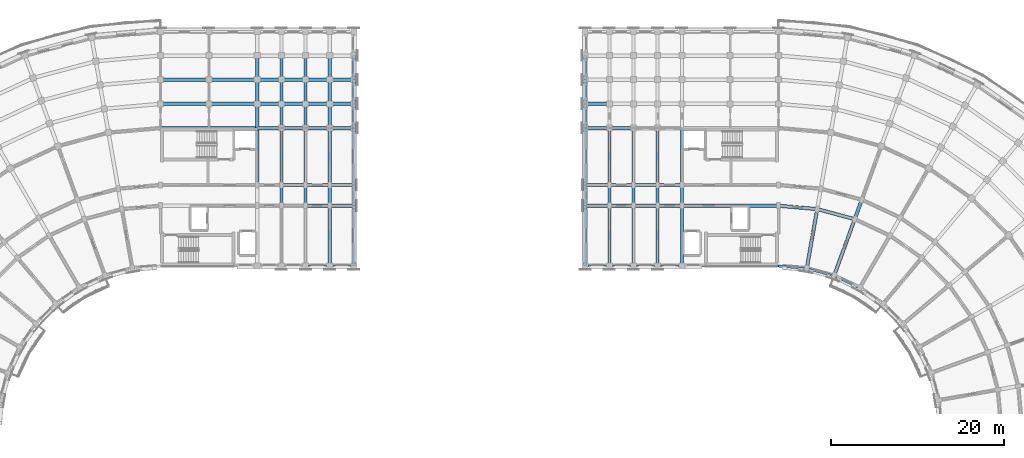
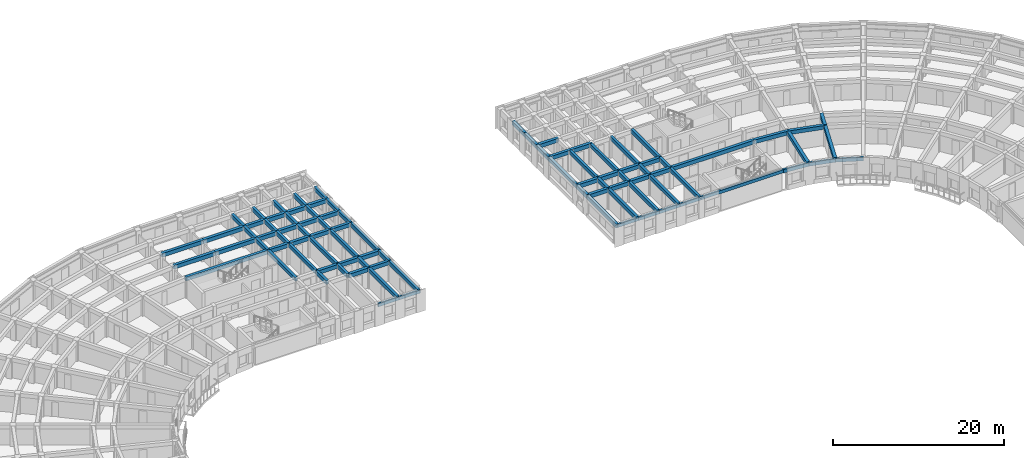
# One storey, part 10 of 57: 93 beams.
"""IFC4 building model written with IfcOpenShell, lengths in metres."""

from ifc_helpers import new_model, si_unit, direction, frame, origin, origin_2d, place, context, subcontext, project, spatial, rectangle, extrude, material, material_profile, profile_set, type_object, element, save


model = new_model("IFC4")

# Units and contexts
model_context = context("Model", 3, precision=1e-05, world=origin(), true_north=direction((0.0, 1.0)))
body_context = subcontext(model_context, "Body", "Model", "MODEL_VIEW")
ifc_project = project(units=[si_unit("LENGTHUNIT", "METRE"), si_unit("AREAUNIT", "SQUARE_METRE"), si_unit("VOLUMEUNIT", "CUBIC_METRE"), si_unit("PLANEANGLEUNIT", "RADIAN"), si_unit("MASSUNIT", "GRAM", prefix="KILO")], contexts=[model_context])

# Site, building, storey
site_placement = place(None, origin())
site = spatial("IfcSite", under=ifc_project, at=site_placement, CompositionType="ELEMENT")
building_placement = place(site_placement, origin())
building = spatial("IfcBuilding", under=site, at=building_placement, Name="Kiranvali Square Residences", CompositionType="ELEMENT")
storey_placement = place(building_placement, frame((0.0, 0.0, 18.14990234375)))
storey = spatial("IfcBuildingStorey", under=building, at=storey_placement, Name="L05", CompositionType="ELEMENT", Elevation=18.14990234375)

# Beams
ifc_material_1 = material(Name="Concrete M40 (40 MPa)", Category="concrete")
ifc_material_profile_1 = material_profile(ifc_material_1, rectangle(XDim=0.35009765625, YDim=0.550048828125, at=origin_2d()), Name="RC 350x550")
ifc_profile_set_1 = profile_set([ifc_material_profile_1], Name="Concrete M40 (40 MPa)")
beam_type_1 = type_object("IfcBeamType", Name="BM-M40-350x550", PredefinedType="BEAM", material=ifc_profile_set_1)
beam_1_placement = place(storey_placement, frame((59.39990234375, 116.0, 2.655029296875), z_axis=(0.0, 1.0, 0.0), x_axis=(-1.0, 0.0, 0.0)))
element("IfcBeam", 1, at=beam_1_placement, inside=storey, type_object=beam_type_1, Name="L05 beam BM-A-L05-A1T1-23", PredefinedType="BEAM", context=body_context, shape_type="SweptSolid", body=[
    extrude(rectangle(XDim=0.35009765625, YDim=0.550048828125, at=origin_2d()), origin(), (0.0, 0.0, 1.0), 6.60009765625),
])
beam_2_placement = place(storey_placement, frame((59.39990234375, 122.60009765625, 2.655029296875), z_axis=(0.0, 1.0, 0.0), x_axis=(-1.0, 0.0, 0.0)))
element("IfcBeam", 2, at=beam_2_placement, inside=storey, type_object=beam_type_1, Name="L05 beam BM-A-L05-A1T1-34", PredefinedType="BEAM", context=body_context, shape_type="SweptSolid", body=[
    extrude(rectangle(XDim=0.35009765625, YDim=0.550048828125, at=origin_2d()), origin(), (0.0, 0.0, 1.0), 2.7998046875),
])
for number, where, z_axis, x_axis, name in (
    (3, (59.39990234375, 125.39990234375, 2.655029296875), (0.0, 1.0, 0.0), (-1.0, 0.0, 0.0), "L05 beam BM-A-L05-A1T1-45"),
    (4, (59.39990234375, 128.199951171875, 2.655029296875), (0.0, 1.0, 0.0), (-1.0, 0.0, 0.0), "L05 beam BM-A-L05-A1T1-56"),
):
    element("IfcBeam", number, at=place(storey_placement, frame(where, z_axis=z_axis, x_axis=x_axis)), inside=storey, type_object=beam_type_1, Name=name, PredefinedType="BEAM", context=body_context, shape_type="SweptSolid", body=[
        extrude(rectangle(XDim=0.35009765625, YDim=0.550048828125, at=origin_2d()), origin(), (0.0, 0.0, 1.0), 2.800048828125),
    ])
beam_3_placement = place(storey_placement, frame((62.199951171875, 113.60009765625, 2.655029296875), z_axis=(0.0, 1.0, 0.0), x_axis=(-1.0, 0.0, 0.0)))
element("IfcBeam", 5, at=beam_3_placement, inside=storey, type_object=beam_type_1, Name="L05 beam BM-A-L05-A1T2-12", PredefinedType="BEAM", context=body_context, shape_type="SweptSolid", body=[
    extrude(rectangle(XDim=0.35009765625, YDim=0.550048828125, at=origin_2d()), origin(), (0.0, 0.0, 1.0), 2.39990234375),
])
beam_4_placement = place(storey_placement, frame((62.199951171875, 116.0, 2.655029296875), z_axis=(0.0, 1.0, 0.0), x_axis=(-1.0, 0.0, 0.0)))
element("IfcBeam", 6, at=beam_4_placement, inside=storey, type_object=beam_type_1, Name="L05 beam BM-A-L05-A1T2-23", PredefinedType="BEAM", context=body_context, shape_type="SweptSolid", body=[
    extrude(rectangle(XDim=0.35009765625, YDim=0.550048828125, at=origin_2d()), origin(), (0.0, 0.0, 1.0), 6.60009765625),
])
beam_5_placement = place(storey_placement, frame((62.199951171875, 122.60009765625, 2.655029296875), z_axis=(0.0, 1.0, 0.0), x_axis=(-1.0, 0.0, 0.0)))
element("IfcBeam", 7, at=beam_5_placement, inside=storey, type_object=beam_type_1, Name="L05 beam BM-A-L05-A1T2-34", PredefinedType="BEAM", context=body_context, shape_type="SweptSolid", body=[
    extrude(rectangle(XDim=0.35009765625, YDim=0.550048828125, at=origin_2d()), origin(), (0.0, 0.0, 1.0), 2.7998046875),
])
for number, where, z_axis, x_axis, name in (
    (8, (62.199951171875, 125.39990234375, 2.655029296875), (0.0, 1.0, 0.0), (-1.0, 0.0, 0.0), "L05 beam BM-A-L05-A1T2-45"),
    (9, (62.199951171875, 128.199951171875, 2.655029296875), (0.0, 1.0, 0.0), (-1.0, 0.0, 0.0), "L05 beam BM-A-L05-A1T2-56"),
):
    element("IfcBeam", number, at=place(storey_placement, frame(where, z_axis=z_axis, x_axis=x_axis)), inside=storey, type_object=beam_type_1, Name=name, PredefinedType="BEAM", context=body_context, shape_type="SweptSolid", body=[
        extrude(rectangle(XDim=0.35009765625, YDim=0.550048828125, at=origin_2d()), origin(), (0.0, 0.0, 1.0), 2.800048828125),
    ])
beam_6_placement = place(storey_placement, frame((65.0, 113.60009765625, 2.655029296875), z_axis=(0.0, 1.0, 0.0), x_axis=(-1.0, 0.0, 0.0)))
element("IfcBeam", 10, at=beam_6_placement, inside=storey, type_object=beam_type_1, Name="L05 beam BM-A-L05-A1T3-12", PredefinedType="BEAM", context=body_context, shape_type="SweptSolid", body=[
    extrude(rectangle(XDim=0.35009765625, YDim=0.550048828125, at=origin_2d()), origin(), (0.0, 0.0, 1.0), 2.39990234375),
])
beam_7_placement = place(storey_placement, frame((65.0, 116.0, 2.655029296875), z_axis=(0.0, 1.0, 0.0), x_axis=(-1.0, 0.0, 0.0)))
element("IfcBeam", 11, at=beam_7_placement, inside=storey, type_object=beam_type_1, Name="L05 beam BM-A-L05-A1T3-23", PredefinedType="BEAM", context=body_context, shape_type="SweptSolid", body=[
    extrude(rectangle(XDim=0.35009765625, YDim=0.550048828125, at=origin_2d()), origin(), (0.0, 0.0, 1.0), 6.60009765625),
])
beam_8_placement = place(storey_placement, frame((65.0, 122.60009765625, 2.655029296875), z_axis=(0.0, 1.0, 0.0), x_axis=(-1.0, 0.0, 0.0)))
element("IfcBeam", 12, at=beam_8_placement, inside=storey, type_object=beam_type_1, Name="L05 beam BM-A-L05-A1T3-34", PredefinedType="BEAM", context=body_context, shape_type="SweptSolid", body=[
    extrude(rectangle(XDim=0.35009765625, YDim=0.550048828125, at=origin_2d()), origin(), (0.0, 0.0, 1.0), 2.7998046875),
])
for number, where, z_axis, x_axis, name in (
    (13, (65.0, 125.39990234375, 2.655029296875), (0.0, 1.0, 0.0), (-1.0, 0.0, 0.0), "L05 beam BM-A-L05-A1T3-45"),
    (14, (65.0, 128.199951171875, 2.655029296875), (0.0, 1.0, 0.0), (-1.0, 0.0, 0.0), "L05 beam BM-A-L05-A1T3-56"),
):
    element("IfcBeam", number, at=place(storey_placement, frame(where, z_axis=z_axis, x_axis=x_axis)), inside=storey, type_object=beam_type_1, Name=name, PredefinedType="BEAM", context=body_context, shape_type="SweptSolid", body=[
        extrude(rectangle(XDim=0.35009765625, YDim=0.550048828125, at=origin_2d()), origin(), (0.0, 0.0, 1.0), 2.800048828125),
    ])
beam_9_placement = place(storey_placement, frame((67.800048828125, 106.60009765625, 2.655029296875), z_axis=(0.0, 1.0, 0.0), x_axis=(-1.0, 0.0, 0.0)))
element("IfcBeam", 15, at=beam_9_placement, inside=storey, type_object=beam_type_1, Name="L05 beam BM-A-L05-A1T4-01", PredefinedType="BEAM", context=body_context, shape_type="SweptSolid", body=[
    extrude(rectangle(XDim=0.35009765625, YDim=0.550048828125, at=origin_2d()), origin(), (0.0, 0.0, 1.0), 7.0),
])
beam_10_placement = place(storey_placement, frame((67.800048828125, 113.60009765625, 2.655029296875), z_axis=(0.0, 1.0, 0.0), x_axis=(-1.0, 0.0, 0.0)))
element("IfcBeam", 16, at=beam_10_placement, inside=storey, type_object=beam_type_1, Name="L05 beam BM-A-L05-A1T4-12", PredefinedType="BEAM", context=body_context, shape_type="SweptSolid", body=[
    extrude(rectangle(XDim=0.35009765625, YDim=0.550048828125, at=origin_2d()), origin(), (0.0, 0.0, 1.0), 2.39990234375),
])
beam_11_placement = place(storey_placement, frame((67.800048828125, 116.0, 2.655029296875), z_axis=(0.0, 1.0, 0.0), x_axis=(-1.0, 0.0, 0.0)))
element("IfcBeam", 17, at=beam_11_placement, inside=storey, type_object=beam_type_1, Name="L05 beam BM-A-L05-A1T4-23", PredefinedType="BEAM", context=body_context, shape_type="SweptSolid", body=[
    extrude(rectangle(XDim=0.35009765625, YDim=0.550048828125, at=origin_2d()), origin(), (0.0, 0.0, 1.0), 6.60009765625),
])
beam_12_placement = place(storey_placement, frame((67.800048828125, 122.60009765625, 2.655029296875), z_axis=(0.0, 1.0, 0.0), x_axis=(-1.0, 0.0, 0.0)))
element("IfcBeam", 18, at=beam_12_placement, inside=storey, type_object=beam_type_1, Name="L05 beam BM-A-L05-A1T4-34", PredefinedType="BEAM", context=body_context, shape_type="SweptSolid", body=[
    extrude(rectangle(XDim=0.35009765625, YDim=0.550048828125, at=origin_2d()), origin(), (0.0, 0.0, 1.0), 2.7998046875),
])
for number, where, z_axis, x_axis, name in (
    (19, (67.800048828125, 125.39990234375, 2.655029296875), (0.0, 1.0, 0.0), (-1.0, 0.0, 0.0), "L05 beam BM-A-L05-A1T4-45"),
    (20, (67.800048828125, 128.199951171875, 2.655029296875), (0.0, 1.0, 0.0), (-1.0, 0.0, 0.0), "L05 beam BM-A-L05-A1T4-56"),
):
    element("IfcBeam", number, at=place(storey_placement, frame(where, z_axis=z_axis, x_axis=x_axis)), inside=storey, type_object=beam_type_1, Name=name, PredefinedType="BEAM", context=body_context, shape_type="SweptSolid", body=[
        extrude(rectangle(XDim=0.35009765625, YDim=0.550048828125, at=origin_2d()), origin(), (0.0, 0.0, 1.0), 2.800048828125),
    ])
beam_13_placement = place(storey_placement, frame((70.60009765625, 106.60009765625, 2.655029296875), z_axis=(0.0, 1.0, 0.0), x_axis=(-1.0, 0.0, 0.0)))
element("IfcBeam", 21, at=beam_13_placement, inside=storey, type_object=beam_type_1, Name="L05 beam BM-A-L05-A1T5-01", PredefinedType="BEAM", context=body_context, shape_type="SweptSolid", body=[
    extrude(rectangle(XDim=0.35009765625, YDim=0.550048828125, at=origin_2d()), origin(), (0.0, 0.0, 1.0), 7.0),
])
beam_14_placement = place(storey_placement, frame((70.60009765625, 113.60009765625, 2.655029296875), z_axis=(0.0, 1.0, 0.0), x_axis=(-1.0, 0.0, 0.0)))
element("IfcBeam", 22, at=beam_14_placement, inside=storey, type_object=beam_type_1, Name="L05 beam BM-A-L05-A1T5-12", PredefinedType="BEAM", context=body_context, shape_type="SweptSolid", body=[
    extrude(rectangle(XDim=0.35009765625, YDim=0.550048828125, at=origin_2d()), origin(), (0.0, 0.0, 1.0), 2.39990234375),
])
beam_15_placement = place(storey_placement, frame((70.60009765625, 116.0, 2.655029296875), z_axis=(0.0, 1.0, 0.0), x_axis=(-1.0, 0.0, 0.0)))
element("IfcBeam", 23, at=beam_15_placement, inside=storey, type_object=beam_type_1, Name="L05 beam BM-A-L05-A1T5-23", PredefinedType="BEAM", context=body_context, shape_type="SweptSolid", body=[
    extrude(rectangle(XDim=0.35009765625, YDim=0.550048828125, at=origin_2d()), origin(), (0.0, 0.0, 1.0), 6.60009765625),
])
beam_16_placement = place(storey_placement, frame((70.60009765625, 122.60009765625, 2.655029296875), z_axis=(0.0, 1.0, 0.0), x_axis=(-1.0, 0.0, 0.0)))
element("IfcBeam", 24, at=beam_16_placement, inside=storey, type_object=beam_type_1, Name="L05 beam BM-A-L05-A1T5-34", PredefinedType="BEAM", context=body_context, shape_type="SweptSolid", body=[
    extrude(rectangle(XDim=0.35009765625, YDim=0.550048828125, at=origin_2d()), origin(), (0.0, 0.0, 1.0), 2.7998046875),
])
for number, where, z_axis, x_axis, name in (
    (25, (70.60009765625, 125.39990234375, 2.655029296875), (0.0, 1.0, 0.0), (-1.0, 0.0, 0.0), "L05 beam BM-A-L05-A1T5-45"),
    (26, (70.60009765625, 128.199951171875, 2.655029296875), (0.0, 1.0, 0.0), (-1.0, 0.0, 0.0), "L05 beam BM-A-L05-A1T5-56"),
):
    element("IfcBeam", number, at=place(storey_placement, frame(where, z_axis=z_axis, x_axis=x_axis)), inside=storey, type_object=beam_type_1, Name=name, PredefinedType="BEAM", context=body_context, shape_type="SweptSolid", body=[
        extrude(rectangle(XDim=0.35009765625, YDim=0.550048828125, at=origin_2d()), origin(), (0.0, 0.0, 1.0), 2.800048828125),
    ])
beam_17_placement = place(storey_placement, frame((108.60009765625, 106.60009765625, 2.655029296875), z_axis=(0.0, 1.0, 0.0), x_axis=(-1.0, 0.0, 0.0)))
element("IfcBeam", 27, at=beam_17_placement, inside=storey, type_object=beam_type_1, Name="L05 beam BM-B-L05-A1T1-01", PredefinedType="BEAM", context=body_context, shape_type="SweptSolid", body=[
    extrude(rectangle(XDim=0.35009765625, YDim=0.550048828125, at=origin_2d()), origin(), (0.0, 0.0, 1.0), 7.0),
])
beam_18_placement = place(storey_placement, frame((108.60009765625, 113.60009765625, 2.655029296875), z_axis=(0.0, 1.0, 0.0), x_axis=(-1.0, 0.0, 0.0)))
element("IfcBeam", 28, at=beam_18_placement, inside=storey, type_object=beam_type_1, Name="L05 beam BM-B-L05-A1T1-12", PredefinedType="BEAM", context=body_context, shape_type="SweptSolid", body=[
    extrude(rectangle(XDim=0.35009765625, YDim=0.550048828125, at=origin_2d()), origin(), (0.0, 0.0, 1.0), 2.39990234375),
])
beam_19_placement = place(storey_placement, frame((108.60009765625, 116.0, 2.655029296875), z_axis=(0.0, 1.0, 0.0), x_axis=(-1.0, 0.0, 0.0)))
element("IfcBeam", 29, at=beam_19_placement, inside=storey, type_object=beam_type_1, Name="L05 beam BM-B-L05-A1T1-23", PredefinedType="BEAM", context=body_context, shape_type="SweptSolid", body=[
    extrude(rectangle(XDim=0.35009765625, YDim=0.550048828125, at=origin_2d()), origin(), (0.0, 0.0, 1.0), 6.60009765625),
])
beam_20_placement = place(storey_placement, frame((105.800048828125, 106.60009765625, 2.655029296875), z_axis=(0.0, 1.0, 0.0), x_axis=(-1.0, 0.0, 0.0)))
element("IfcBeam", 30, at=beam_20_placement, inside=storey, type_object=beam_type_1, Name="L05 beam BM-B-L05-A1T2-01", PredefinedType="BEAM", context=body_context, shape_type="SweptSolid", body=[
    extrude(rectangle(XDim=0.35009765625, YDim=0.550048828125, at=origin_2d()), origin(), (0.0, 0.0, 1.0), 7.0),
])
beam_21_placement = place(storey_placement, frame((105.800048828125, 113.60009765625, 2.655029296875), z_axis=(0.0, 1.0, 0.0), x_axis=(-1.0, 0.0, 0.0)))
element("IfcBeam", 31, at=beam_21_placement, inside=storey, type_object=beam_type_1, Name="L05 beam BM-B-L05-A1T2-12", PredefinedType="BEAM", context=body_context, shape_type="SweptSolid", body=[
    extrude(rectangle(XDim=0.35009765625, YDim=0.550048828125, at=origin_2d()), origin(), (0.0, 0.0, 1.0), 2.39990234375),
])
beam_22_placement = place(storey_placement, frame((105.800048828125, 116.0, 2.655029296875), z_axis=(0.0, 1.0, 0.0), x_axis=(-1.0, 0.0, 0.0)))
element("IfcBeam", 32, at=beam_22_placement, inside=storey, type_object=beam_type_1, Name="L05 beam BM-B-L05-A1T2-23", PredefinedType="BEAM", context=body_context, shape_type="SweptSolid", body=[
    extrude(rectangle(XDim=0.35009765625, YDim=0.550048828125, at=origin_2d()), origin(), (0.0, 0.0, 1.0), 6.60009765625),
])
beam_23_placement = place(storey_placement, frame((103.0, 106.60009765625, 2.655029296875), z_axis=(0.0, 1.0, 0.0), x_axis=(-1.0, 0.0, 0.0)))
element("IfcBeam", 33, at=beam_23_placement, inside=storey, type_object=beam_type_1, Name="L05 beam BM-B-L05-A1T3-01", PredefinedType="BEAM", context=body_context, shape_type="SweptSolid", body=[
    extrude(rectangle(XDim=0.35009765625, YDim=0.550048828125, at=origin_2d()), origin(), (0.0, 0.0, 1.0), 7.0),
])
beam_24_placement = place(storey_placement, frame((103.0, 113.60009765625, 2.655029296875), z_axis=(0.0, 1.0, 0.0), x_axis=(-1.0, 0.0, 0.0)))
element("IfcBeam", 34, at=beam_24_placement, inside=storey, type_object=beam_type_1, Name="L05 beam BM-B-L05-A1T3-12", PredefinedType="BEAM", context=body_context, shape_type="SweptSolid", body=[
    extrude(rectangle(XDim=0.35009765625, YDim=0.550048828125, at=origin_2d()), origin(), (0.0, 0.0, 1.0), 2.39990234375),
])
beam_25_placement = place(storey_placement, frame((103.0, 116.0, 2.655029296875), z_axis=(0.0, 1.0, 0.0), x_axis=(-1.0, 0.0, 0.0)))
element("IfcBeam", 35, at=beam_25_placement, inside=storey, type_object=beam_type_1, Name="L05 beam BM-B-L05-A1T3-23", PredefinedType="BEAM", context=body_context, shape_type="SweptSolid", body=[
    extrude(rectangle(XDim=0.35009765625, YDim=0.550048828125, at=origin_2d()), origin(), (0.0, 0.0, 1.0), 6.60009765625),
])
beam_26_placement = place(storey_placement, frame((100.199951171875, 106.60009765625, 2.655029296875), z_axis=(0.0, 1.0, 0.0), x_axis=(-1.0, 0.0, 0.0)))
element("IfcBeam", 36, at=beam_26_placement, inside=storey, type_object=beam_type_1, Name="L05 beam BM-B-L05-A1T4-01", PredefinedType="BEAM", context=body_context, shape_type="SweptSolid", body=[
    extrude(rectangle(XDim=0.35009765625, YDim=0.550048828125, at=origin_2d()), origin(), (0.0, 0.0, 1.0), 7.0),
])
beam_27_placement = place(storey_placement, frame((100.199951171875, 113.60009765625, 2.655029296875), z_axis=(0.0, 1.0, 0.0), x_axis=(-1.0, 0.0, 0.0)))
element("IfcBeam", 37, at=beam_27_placement, inside=storey, type_object=beam_type_1, Name="L05 beam BM-B-L05-A1T4-12", PredefinedType="BEAM", context=body_context, shape_type="SweptSolid", body=[
    extrude(rectangle(XDim=0.35009765625, YDim=0.550048828125, at=origin_2d()), origin(), (0.0, 0.0, 1.0), 2.39990234375),
])
beam_28_placement = place(storey_placement, frame((100.199951171875, 116.0, 2.655029296875), z_axis=(0.0, 1.0, 0.0), x_axis=(-1.0, 0.0, 0.0)))
element("IfcBeam", 38, at=beam_28_placement, inside=storey, type_object=beam_type_1, Name="L05 beam BM-B-L05-A1T4-23", PredefinedType="BEAM", context=body_context, shape_type="SweptSolid", body=[
    extrude(rectangle(XDim=0.35009765625, YDim=0.550048828125, at=origin_2d()), origin(), (0.0, 0.0, 1.0), 6.60009765625),
])
beam_29_placement = place(storey_placement, frame((97.39990234375, 106.60009765625, 2.655029296875), z_axis=(0.0, 1.0, 0.0), x_axis=(-1.0, 0.0, 0.0)))
element("IfcBeam", 39, at=beam_29_placement, inside=storey, type_object=beam_type_1, Name="L05 beam BM-B-L05-A1T5-01", PredefinedType="BEAM", context=body_context, shape_type="SweptSolid", body=[
    extrude(rectangle(XDim=0.35009765625, YDim=0.550048828125, at=origin_2d()), origin(), (0.0, 0.0, 1.0), 7.0),
])
beam_30_placement = place(storey_placement, frame((97.39990234375, 113.60009765625, 2.655029296875), z_axis=(0.0, 1.0, 0.0), x_axis=(-1.0, 0.0, 0.0)))
element("IfcBeam", 40, at=beam_30_placement, inside=storey, type_object=beam_type_1, Name="L05 beam BM-B-L05-A1T5-12", PredefinedType="BEAM", context=body_context, shape_type="SweptSolid", body=[
    extrude(rectangle(XDim=0.35009765625, YDim=0.550048828125, at=origin_2d()), origin(), (0.0, 0.0, 1.0), 2.39990234375),
])
beam_31_placement = place(storey_placement, frame((97.39990234375, 116.0, 2.655029296875), z_axis=(0.0, 1.0, 0.0), x_axis=(-1.0, 0.0, 0.0)))
element("IfcBeam", 41, at=beam_31_placement, inside=storey, type_object=beam_type_1, Name="L05 beam BM-B-L05-A1T5-23", PredefinedType="BEAM", context=body_context, shape_type="SweptSolid", body=[
    extrude(rectangle(XDim=0.35009765625, YDim=0.550048828125, at=origin_2d()), origin(), (0.0, 0.0, 1.0), 6.60009765625),
])
beam_32_placement = place(storey_placement, frame((97.39990234375, 122.60009765625, 2.655029296875), z_axis=(0.0, 1.0, 0.0), x_axis=(-1.0, 0.0, 0.0)))
element("IfcBeam", 42, at=beam_32_placement, inside=storey, type_object=beam_type_1, Name="L05 beam BM-B-L05-A1T5-34", PredefinedType="BEAM", context=body_context, shape_type="SweptSolid", body=[
    extrude(rectangle(XDim=0.35009765625, YDim=0.550048828125, at=origin_2d()), origin(), (0.0, 0.0, 1.0), 2.7998046875),
])
for number, where, z_axis, x_axis, name in (
    (43, (97.39990234375, 125.39990234375, 2.655029296875), (0.0, 1.0, 0.0), (-1.0, 0.0, 0.0), "L05 beam BM-B-L05-A1T5-45"),
    (44, (97.39990234375, 128.199951171875, 2.655029296875), (0.0, 1.0, 0.0), (-1.0, 0.0, 0.0), "L05 beam BM-B-L05-A1T5-56"),
):
    element("IfcBeam", number, at=place(storey_placement, frame(where, z_axis=z_axis, x_axis=x_axis)), inside=storey, type_object=beam_type_1, Name=name, PredefinedType="BEAM", context=body_context, shape_type="SweptSolid", body=[
        extrude(rectangle(XDim=0.35009765625, YDim=0.550048828125, at=origin_2d()), origin(), (0.0, 0.0, 1.0), 2.800048828125),
    ])
ifc_material_2 = material(Name="Concrete M45 (45 MPa)", Category="concrete")
ifc_material_profile_2 = material_profile(ifc_material_2, rectangle(XDim=0.39990234375, YDim=0.550048828125, at=origin_2d()), Name="RC 400x550")
ifc_profile_set_2 = profile_set([ifc_material_profile_2], Name="Concrete M45 (45 MPa)")
beam_type_2 = type_object("IfcBeamType", Name="BM-M45-400x550", PredefinedType="BEAM", material=ifc_profile_set_2)
for number, where, z_axis, x_axis, name in (
    (45, (65.0, 113.60009765625, 2.655029296875), (1.0, 0.0, 0.0), (0.0, 1.0, 0.0), "L05 beam BM-A-L05-A1U3-R1"),
    (46, (67.800048828125, 113.60009765625, 2.655029296875), (1.0, 0.0, 0.0), (0.0, 1.0, 0.0), "L05 beam BM-A-L05-A1U4-R1"),
    (47, (62.199951171875, 116.0, 2.655029296875), (1.0, 0.0, 0.0), (0.0, 1.0, 0.0), "L05 beam BM-A-L05-A1U2-R2"),
    (48, (65.0, 116.0, 2.655029296875), (1.0, 0.0, 0.0), (0.0, 1.0, 0.0), "L05 beam BM-A-L05-A1U3-R2"),
    (49, (67.800048828125, 116.0, 2.655029296875), (1.0, 0.0, 0.0), (0.0, 1.0, 0.0), "L05 beam BM-A-L05-A1U4-R2"),
):
    element("IfcBeam", number, at=place(storey_placement, frame(where, z_axis=z_axis, x_axis=x_axis)), inside=storey, type_object=beam_type_2, Name=name, PredefinedType="BEAM", context=body_context, shape_type="SweptSolid", body=[
        extrude(rectangle(XDim=0.39990234375, YDim=0.550048828125, at=origin_2d()), origin(), (0.0, 0.0, 1.0), 2.800048828125),
    ])
beam_33_placement = place(storey_placement, frame((48.199951171875, 122.60009765625, 2.655029296875), z_axis=(1.0, 0.0, 0.0), x_axis=(0.0, 1.0, 0.0)))
element("IfcBeam", 50, at=beam_33_placement, inside=storey, type_object=beam_type_2, Name="L05 beam BM-A-L05-A1U0-R3", PredefinedType="BEAM", context=body_context, shape_type="SweptSolid", body=[
    extrude(rectangle(XDim=0.39990234375, YDim=0.550048828125, at=origin_2d()), origin(), (0.0, 0.0, 1.0), 11.199951171875),
])
for number, where, z_axis, x_axis, name in (
    (51, (59.39990234375, 122.60009765625, 2.655029296875), (1.0, 0.0, 0.0), (0.0, 1.0, 0.0), "L05 beam BM-A-L05-A1U1-R3"),
    (52, (62.199951171875, 122.60009765625, 2.655029296875), (1.0, 0.0, 0.0), (0.0, 1.0, 0.0), "L05 beam BM-A-L05-A1U2-R3"),
    (53, (65.0, 122.60009765625, 2.655029296875), (1.0, 0.0, 0.0), (0.0, 1.0, 0.0), "L05 beam BM-A-L05-A1U3-R3"),
    (54, (67.800048828125, 122.60009765625, 2.655029296875), (1.0, 0.0, 0.0), (0.0, 1.0, 0.0), "L05 beam BM-A-L05-A1U4-R3"),
):
    element("IfcBeam", number, at=place(storey_placement, frame(where, z_axis=z_axis, x_axis=x_axis)), inside=storey, type_object=beam_type_2, Name=name, PredefinedType="BEAM", context=body_context, shape_type="SweptSolid", body=[
        extrude(rectangle(XDim=0.39990234375, YDim=0.550048828125, at=origin_2d()), origin(), (0.0, 0.0, 1.0), 2.800048828125),
    ])
beam_34_placement = place(storey_placement, frame((48.199951171875, 125.39990234375, 2.655029296875), z_axis=(1.0, 0.0, 0.0), x_axis=(0.0, 1.0, 0.0)))
element("IfcBeam", 55, at=beam_34_placement, inside=storey, type_object=beam_type_2, Name="L05 beam BM-A-L05-A1U0-R4", PredefinedType="BEAM", context=body_context, shape_type="SweptSolid", body=[
    extrude(rectangle(XDim=0.39990234375, YDim=0.550048828125, at=origin_2d()), origin(), (0.0, 0.0, 1.0), 5.60009765625),
])
beam_35_placement = place(storey_placement, frame((53.800048828125, 125.39990234375, 2.655029296875), z_axis=(1.0, 0.0, 0.0), x_axis=(0.0, 1.0, 0.0)))
element("IfcBeam", 56, at=beam_35_placement, inside=storey, type_object=beam_type_2, Name="L05 beam BM-A-L05-A1U1-R4", PredefinedType="BEAM", context=body_context, shape_type="SweptSolid", body=[
    extrude(rectangle(XDim=0.39990234375, YDim=0.550048828125, at=origin_2d()), origin(), (0.0, 0.0, 1.0), 5.599853515625),
])
for number, where, z_axis, x_axis, name in (
    (57, (59.39990234375, 125.39990234375, 2.655029296875), (1.0, 0.0, 0.0), (0.0, 1.0, 0.0), "L05 beam BM-A-L05-A1U2-R4"),
    (58, (62.199951171875, 125.39990234375, 2.655029296875), (1.0, 0.0, 0.0), (0.0, 1.0, 0.0), "L05 beam BM-A-L05-A1U3-R4"),
    (59, (65.0, 125.39990234375, 2.655029296875), (1.0, 0.0, 0.0), (0.0, 1.0, 0.0), "L05 beam BM-A-L05-A1U4-R4"),
    (60, (67.800048828125, 125.39990234375, 2.655029296875), (1.0, 0.0, 0.0), (0.0, 1.0, 0.0), "L05 beam BM-A-L05-A1U5-R4"),
):
    element("IfcBeam", number, at=place(storey_placement, frame(where, z_axis=z_axis, x_axis=x_axis)), inside=storey, type_object=beam_type_2, Name=name, PredefinedType="BEAM", context=body_context, shape_type="SweptSolid", body=[
        extrude(rectangle(XDim=0.39990234375, YDim=0.550048828125, at=origin_2d()), origin(), (0.0, 0.0, 1.0), 2.800048828125),
    ])
beam_36_placement = place(storey_placement, frame((48.199951171875, 128.199951171875, 2.655029296875), z_axis=(1.0, 0.0, 0.0), x_axis=(0.0, 1.0, 0.0)))
element("IfcBeam", 61, at=beam_36_placement, inside=storey, type_object=beam_type_2, Name="L05 beam BM-A-L05-A1U0-R5", PredefinedType="BEAM", context=body_context, shape_type="SweptSolid", body=[
    extrude(rectangle(XDim=0.39990234375, YDim=0.550048828125, at=origin_2d()), origin(), (0.0, 0.0, 1.0), 5.60009765625),
])
beam_37_placement = place(storey_placement, frame((53.800048828125, 128.199951171875, 2.655029296875), z_axis=(1.0, 0.0, 0.0), x_axis=(0.0, 1.0, 0.0)))
element("IfcBeam", 62, at=beam_37_placement, inside=storey, type_object=beam_type_2, Name="L05 beam BM-A-L05-A1U1-R5", PredefinedType="BEAM", context=body_context, shape_type="SweptSolid", body=[
    extrude(rectangle(XDim=0.39990234375, YDim=0.550048828125, at=origin_2d()), origin(), (0.0, 0.0, 1.0), 5.599853515625),
])
for number, where, z_axis, x_axis, name in (
    (63, (59.39990234375, 128.199951171875, 2.655029296875), (1.0, 0.0, 0.0), (0.0, 1.0, 0.0), "L05 beam BM-A-L05-A1U2-R5"),
    (64, (62.199951171875, 128.199951171875, 2.655029296875), (1.0, 0.0, 0.0), (0.0, 1.0, 0.0), "L05 beam BM-A-L05-A1U3-R5"),
    (65, (65.0, 128.199951171875, 2.655029296875), (1.0, 0.0, 0.0), (0.0, 1.0, 0.0), "L05 beam BM-A-L05-A1U4-R5"),
    (66, (67.800048828125, 128.199951171875, 2.655029296875), (1.0, 0.0, 0.0), (0.0, 1.0, 0.0), "L05 beam BM-A-L05-A1U5-R5"),
):
    element("IfcBeam", number, at=place(storey_placement, frame(where, z_axis=z_axis, x_axis=x_axis)), inside=storey, type_object=beam_type_2, Name=name, PredefinedType="BEAM", context=body_context, shape_type="SweptSolid", body=[
        extrude(rectangle(XDim=0.39990234375, YDim=0.550048828125, at=origin_2d()), origin(), (0.0, 0.0, 1.0), 2.800048828125),
    ])
beam_38_placement = place(storey_placement, frame((119.800048828125, 113.60009765625, 2.655029296875), z_axis=(0.996191949488, -0.087187153726, 0.0), x_axis=(0.087187153726, 0.996191949488, 0.0)))
element("IfcBeam", 67, at=beam_38_placement, inside=storey, type_object=beam_type_2, Name="L05 beam BM-B-L05-C00-R1", PredefinedType="BEAM", context=body_context, shape_type="SweptSolid", body=[
    extrude(rectangle(XDim=0.39990234375, YDim=0.550048828125, at=origin_2d()), origin(), (0.0, 0.0, 1.0), 4.4970703125),
])
beam_39_placement = place(storey_placement, frame((124.280029296875, 113.2080078125, 2.655029296875), z_axis=(0.965934240054, -0.258787642463, 0.0), x_axis=(0.258787642463, 0.965934240054, 0.0)))
element("IfcBeam", 68, at=beam_39_placement, inside=storey, type_object=beam_type_2, Name="L05 beam BM-B-L05-C01-R1", PredefinedType="BEAM", context=body_context, shape_type="SweptSolid", body=[
    extrude(rectangle(XDim=0.39990234375, YDim=0.550048828125, at=origin_2d()), origin(), (0.0, 0.0, 1.0), 4.497314453125),
])
beam_40_placement = place(storey_placement, frame((123.064697265625, 106.314453125, 2.655029296875), z_axis=(0.173622177865, 0.984812337125, 0.0), x_axis=(-0.984812337125, 0.173622177865, 0.0)))
element("IfcBeam", 69, at=beam_40_placement, inside=storey, type_object=beam_type_2, Name="L05 beam BM-B-L05-RAD01-01", PredefinedType="BEAM", context=body_context, shape_type="SweptSolid", body=[
    extrude(rectangle(XDim=0.39990234375, YDim=0.550048828125, at=origin_2d()), origin(), (0.0, 0.0, 1.0), 6.999755859375),
])
beam_41_placement = place(storey_placement, frame((126.22998046875, 105.46630859375, 2.655029296875), z_axis=(0.342006283793, 0.939697665127, 0.0), x_axis=(-0.939697665127, 0.342006283793, 0.0)))
element("IfcBeam", 70, at=beam_41_placement, inside=storey, type_object=beam_type_2, Name="L05 beam BM-B-L05-RAD02-01", PredefinedType="BEAM", context=body_context, shape_type="SweptSolid", body=[
    extrude(rectangle(XDim=0.39990234375, YDim=0.550048828125, at=origin_2d()), origin(), (0.0, 0.0, 1.0), 7.0),
])
beam_42_placement = place(storey_placement, frame((128.6240234375, 112.044189453125, 2.655029296875), z_axis=(0.342110593602, 0.939659694648, 0.0), x_axis=(-0.939659694648, 0.342110593602, 0.0)))
element("IfcBeam", 71, at=beam_42_placement, inside=storey, type_object=beam_type_2, Name="L05 beam BM-B-L05-RAD02-12", PredefinedType="BEAM", context=body_context, shape_type="SweptSolid", body=[
    extrude(rectangle(XDim=0.39990234375, YDim=0.550048828125, at=origin_2d()), origin(), (0.0, 0.0, 1.0), 2.39990234375),
])
beam_43_placement = place(storey_placement, frame((119.800048828125, 113.60009765625, 2.655029296875), z_axis=(-1.0, 0.0, 0.0), x_axis=(0.0, -1.0, 0.0)))
element("IfcBeam", 72, at=beam_43_placement, inside=storey, type_object=beam_type_2, Name="L05 beam BM-B-L05-A1U0-R1", PredefinedType="BEAM", context=body_context, shape_type="SweptSolid", body=[
    extrude(rectangle(XDim=0.39990234375, YDim=0.550048828125, at=origin_2d()), origin(), (0.0, 0.0, 1.0), 11.199951171875),
])
for number, where, z_axis, x_axis, name in (
    (73, (108.60009765625, 113.60009765625, 2.655029296875), (-1.0, 0.0, 0.0), (0.0, -1.0, 0.0), "L05 beam BM-B-L05-A1U1-R1"),
    (74, (105.800048828125, 113.60009765625, 2.655029296875), (-1.0, 0.0, 0.0), (0.0, -1.0, 0.0), "L05 beam BM-B-L05-A1U2-R1"),
    (75, (103.0, 113.60009765625, 2.655029296875), (-1.0, 0.0, 0.0), (0.0, -1.0, 0.0), "L05 beam BM-B-L05-A1U3-R1"),
    (76, (100.199951171875, 113.60009765625, 2.655029296875), (-1.0, 0.0, 0.0), (0.0, -1.0, 0.0), "L05 beam BM-B-L05-A1U4-R1"),
    (77, (108.60009765625, 116.0, 2.655029296875), (-1.0, 0.0, 0.0), (0.0, -1.0, 0.0), "L05 beam BM-B-L05-A1U1-R2"),
    (78, (105.800048828125, 116.0, 2.655029296875), (-1.0, 0.0, 0.0), (0.0, -1.0, 0.0), "L05 beam BM-B-L05-A1U2-R2"),
    (79, (103.0, 116.0, 2.655029296875), (-1.0, 0.0, 0.0), (0.0, -1.0, 0.0), "L05 beam BM-B-L05-A1U3-R2"),
    (80, (100.199951171875, 116.0, 2.655029296875), (-1.0, 0.0, 0.0), (0.0, -1.0, 0.0), "L05 beam BM-B-L05-A1U4-R2"),
    (81, (103.0, 122.60009765625, 2.655029296875), (-1.0, 0.0, 0.0), (0.0, -1.0, 0.0), "L05 beam BM-B-L05-A1U3-R3"),
    (82, (100.199951171875, 122.60009765625, 2.655029296875), (-1.0, 0.0, 0.0), (0.0, -1.0, 0.0), "L05 beam BM-B-L05-A1U4-R3"),
    (83, (100.199951171875, 125.39990234375, 2.655029296875), (-1.0, 0.0, 0.0), (0.0, -1.0, 0.0), "L05 beam BM-B-L05-A1U5-R4"),
):
    element("IfcBeam", number, at=place(storey_placement, frame(where, z_axis=z_axis, x_axis=x_axis)), inside=storey, type_object=beam_type_2, Name=name, PredefinedType="BEAM", context=body_context, shape_type="SweptSolid", body=[
        extrude(rectangle(XDim=0.39990234375, YDim=0.550048828125, at=origin_2d()), origin(), (0.0, 0.0, 1.0), 2.800048828125),
    ])
ifc_material_profile_3 = material_profile(ifc_material_1, rectangle(XDim=0.25, YDim=0.449951171875, at=origin_2d()), Name="RC 250x450")
ifc_profile_set_3 = profile_set([ifc_material_profile_3], Name="Concrete M40 (40 MPa)")
beam_type_3 = type_object("IfcBeamType", Name="SPN-M40-250x450", PredefinedType="SPANDREL", material=ifc_profile_set_3)
for number, where, z_axis, x_axis, name in (
    (84, (65.0, 106.60009765625, 2.705078125), (1.0, 0.0, 0.0), (0.0, 1.0, 0.0), "L05 beam BM-A-L05-A1U3-R0"),
    (85, (67.800048828125, 106.60009765625, 2.705078125), (1.0, 0.0, 0.0), (0.0, 1.0, 0.0), "L05 beam BM-A-L05-A1U4-R0"),
):
    element("IfcBeam", number, at=place(storey_placement, frame(where, z_axis=z_axis, x_axis=x_axis)), inside=storey, type_object=beam_type_3, Name=name, PredefinedType="SPANDREL", context=body_context, shape_type="SweptSolid", body=[
        extrude(rectangle(XDim=0.25, YDim=0.449951171875, at=origin_2d()), origin(), (0.0, 0.0, 1.0), 2.800048828125),
    ])
beam_44_placement = place(storey_placement, frame((119.800048828125, 106.60009765625, 2.705078125), z_axis=(-1.0, 0.0, 0.0), x_axis=(0.0, -1.0, 0.0)))
element("IfcBeam", 86, at=beam_44_placement, inside=storey, type_object=beam_type_3, Name="L05 beam BM-B-L05-A1U0-R0", PredefinedType="SPANDREL", context=body_context, shape_type="SweptSolid", body=[
    extrude(rectangle(XDim=0.25, YDim=0.449951171875, at=origin_2d()), origin(), (0.0, 0.0, 1.0), 11.199951171875),
])
for number, where, z_axis, x_axis, name in (
    (87, (108.60009765625, 106.60009765625, 2.705078125), (-1.0, 0.0, 0.0), (0.0, -1.0, 0.0), "L05 beam BM-B-L05-A1U1-R0"),
    (88, (105.800048828125, 106.60009765625, 2.705078125), (-1.0, 0.0, 0.0), (0.0, -1.0, 0.0), "L05 beam BM-B-L05-A1U2-R0"),
    (89, (103.0, 106.60009765625, 2.705078125), (-1.0, 0.0, 0.0), (0.0, -1.0, 0.0), "L05 beam BM-B-L05-A1U3-R0"),
    (90, (100.199951171875, 106.60009765625, 2.705078125), (-1.0, 0.0, 0.0), (0.0, -1.0, 0.0), "L05 beam BM-B-L05-A1U4-R0"),
):
    element("IfcBeam", number, at=place(storey_placement, frame(where, z_axis=z_axis, x_axis=x_axis)), inside=storey, type_object=beam_type_3, Name=name, PredefinedType="SPANDREL", context=body_context, shape_type="SweptSolid", body=[
        extrude(rectangle(XDim=0.25, YDim=0.449951171875, at=origin_2d()), origin(), (0.0, 0.0, 1.0), 2.800048828125),
    ])
ifc_material_profile_4 = material_profile(ifc_material_1, rectangle(XDim=0.25, YDim=0.5, at=origin_2d()), Name="RC 250x500")
ifc_profile_set_4 = profile_set([ifc_material_profile_4], Name="Concrete M40 (40 MPa)")
beam_type_4 = type_object("IfcBeamType", Name="SPN-M40-250x500", PredefinedType="SPANDREL", material=ifc_profile_set_4)
beam_45_placement = place(storey_placement, frame((119.800048828125, 106.60009765625, 2.68017578125), z_axis=(0.996194040944, -0.087163253657, 0.0), x_axis=(0.087163253657, 0.996194040944, 0.0)))
element("IfcBeam", 91, at=beam_45_placement, inside=storey, type_object=beam_type_4, Name="L05 beam BM-B-L05-C00-R0", PredefinedType="SPANDREL", context=body_context, shape_type="SweptSolid", body=[
    extrude(rectangle(XDim=0.25, YDim=0.5, at=origin_2d()), origin(), (0.0, 0.0, 1.0), 3.277099609375),
])
beam_46_placement = place(storey_placement, frame((123.064697265625, 106.314453125, 2.68017578125), z_axis=(0.965925105099, -0.258821736607, 0.0), x_axis=(0.258821736607, 0.965925105099, 0.0)))
element("IfcBeam", 92, at=beam_46_placement, inside=storey, type_object=beam_type_4, Name="L05 beam BM-B-L05-C01-R0", PredefinedType="SPANDREL", context=body_context, shape_type="SweptSolid", body=[
    extrude(rectangle(XDim=0.25, YDim=0.5, at=origin_2d()), origin(), (0.0, 0.0, 1.0), 3.27685546875),
])
beam_47_placement = place(storey_placement, frame((126.22998046875, 105.46630859375, 2.68017578125), z_axis=(0.90629730464, -0.422640740585, 0.0), x_axis=(0.422640740585, 0.90629730464, 0.0)))
element("IfcBeam", 93, at=beam_47_placement, inside=storey, type_object=beam_type_4, Name="L05 beam BM-B-L05-C02-R0", PredefinedType="SPANDREL", context=body_context, shape_type="SweptSolid", body=[
    extrude(rectangle(XDim=0.25, YDim=0.5, at=origin_2d()), origin(), (0.0, 0.0, 1.0), 3.277099609375),
])

save(model, "model.ifc")
